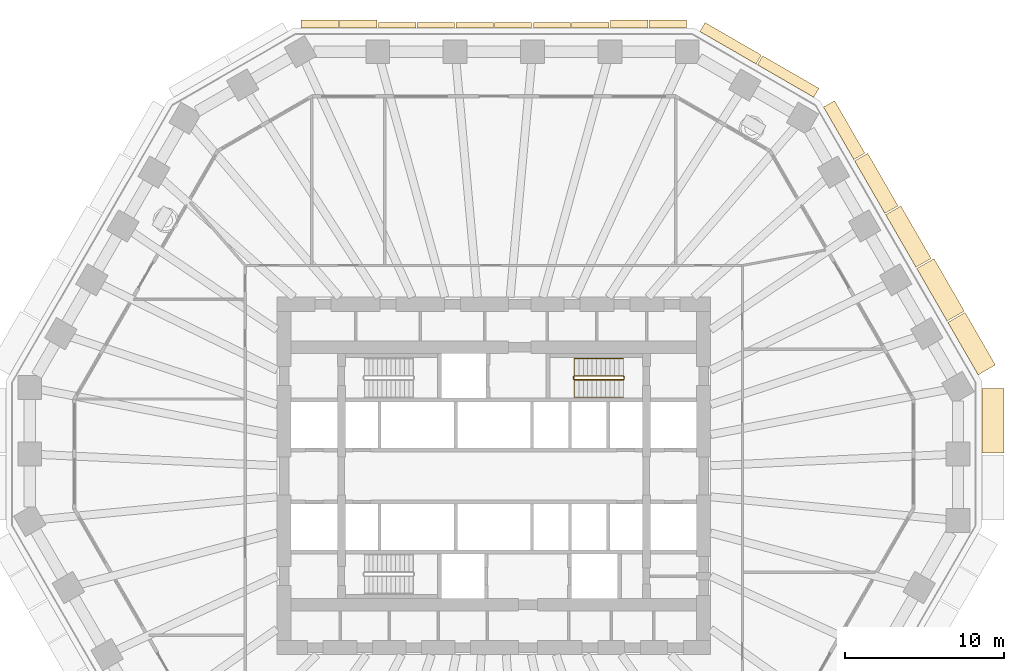
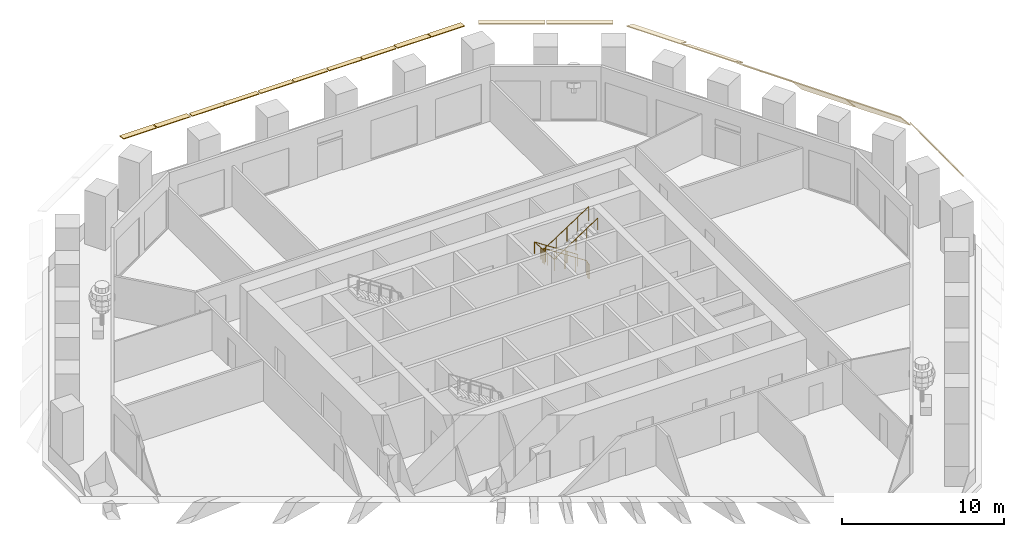
# One storey, part 10 of 12: 18 coverings, 2 railings.
"""IFC4 building model written with IfcOpenShell, lengths in metres."""

import ifcopenshell
import ifcopenshell.guid

model = None  # the IFC model being written
_history = None  # IfcOwnerHistory: only IFC2X3 demands one
_inside = {}  # id of a spatial element -> (the spatial element, [elements in it])
_under = {}  # id of a project, library or spatial element -> (it, [spatial elements below it])
_declared = {}  # id of a project -> (the project, [libraries it declares])
_typed = {}  # id of a type object -> (the type object, [elements of that type])
_made_of = {}  # id of a material, layer set ... -> (it, [elements and type objects made of it])


def new_model(schema):
    """Start an empty IFC model of exactly this schema.

    Asked for "IFC4X3", IfcOpenShell would pick the latest addendum, in which some entities
    have other attributes; the version numbers below select the first issue.
    IFC2X3 requires an IfcOwnerHistory on every rooted entity: one is made here for all.
    """
    global model, _history
    if schema == "IFC4X3":
        model = ifcopenshell.file(schema_version=(4, 3, 0, 0))
    else:
        model = ifcopenshell.file(schema=schema)
    _inside.clear()
    _under.clear()
    _declared.clear()
    _typed.clear()
    _made_of.clear()
    _history = None
    if model.schema == "IFC2X3":
        org = make("IfcOrganization", Name="unknown")
        user = make(
            "IfcPersonAndOrganization",
            ThePerson=make("IfcPerson", FamilyName="unknown"),
            TheOrganization=org,
        )
        app = make(
            "IfcApplication",
            ApplicationDeveloper=org,
            Version="unknown",
            ApplicationFullName="unknown",
            ApplicationIdentifier="unknown",
        )
        _history = make(
            "IfcOwnerHistory",
            OwningUser=user,
            OwningApplication=app,
            ChangeAction="ADDED",
            CreationDate=0,
        )
    return model


def make(cls, **values):
    """One entity of the class cls with the attributes given. An attribute that is None is left unset."""
    return model.create_entity(
        cls, **{name: value for name, value in values.items() if value is not None}
    )


def rooted(cls, **values):
    """An entity with a GlobalId (a new one), such as an element, a storey or a relation."""
    return make(cls, GlobalId=ifcopenshell.guid.new(), OwnerHistory=_history, **values)


def si_unit(unit_type, name, prefix=None):
    """IfcSIUnit, for example si_unit("LENGTHUNIT", "METRE", prefix="MILLI")."""
    return make("IfcSIUnit", UnitType=unit_type, Prefix=prefix, Name=name)


def assignment(units):
    """IfcUnitAssignment: the units of a project."""
    return None if units is None else make("IfcUnitAssignment", Units=units)


def point(xyz):
    """IfcCartesianPoint."""
    return None if xyz is None else make("IfcCartesianPoint", Coordinates=xyz)


def direction(xyz):
    """IfcDirection."""
    return None if xyz is None else make("IfcDirection", DirectionRatios=xyz)


def frame(location, z_axis=None, x_axis=None):
    """IfcAxis2Placement3D, a coordinate frame: its origin and axes. An axis left out is left unset."""
    return make(
        "IfcAxis2Placement3D",
        Location=point(location),
        Axis=direction(z_axis),
        RefDirection=direction(x_axis),
    )


def frame_2d(location, x_axis=None):
    """IfcAxis2Placement2D, a coordinate frame in the plane: its origin and x axis."""
    return make(
        "IfcAxis2Placement2D", Location=point(location), RefDirection=direction(x_axis)
    )


def origin():
    """The frame at (0, 0, 0) with its axes left unset."""
    return frame((0.0, 0.0, 0.0))


def origin_2d():
    """The frame at (0, 0) in the plane with its x axis left unset."""
    return frame_2d((0.0, 0.0))


def place(relative_to, where):
    """IfcLocalPlacement: puts the frame where relative to a parent placement (None: the world)."""
    return make(
        "IfcLocalPlacement", PlacementRelTo=relative_to, RelativePlacement=where
    )


def context(
    kind, dimensions, precision=None, world=None, true_north=None, identifier=None
):
    """IfcGeometricRepresentationContext, for example the 3D "Model" context."""
    return make(
        "IfcGeometricRepresentationContext",
        ContextIdentifier=identifier,
        ContextType=kind,
        CoordinateSpaceDimension=dimensions,
        Precision=precision,
        WorldCoordinateSystem=world,
        TrueNorth=true_north,
    )


def subcontext(parent, identifier, kind, view, scale=None):
    """IfcGeometricRepresentationSubContext, for example "Body" below "Model"."""
    return make(
        "IfcGeometricRepresentationSubContext",
        ContextIdentifier=identifier,
        ContextType=kind,
        ParentContext=parent,
        TargetScale=scale,
        TargetView=view,
    )


def project(units=None, contexts=None):
    """IfcProject with its units and contexts."""
    return rooted(
        "IfcProject",
        Name="project",
        RepresentationContexts=contexts,
        UnitsInContext=assignment(units),
    )


def spatial(cls, under=None, at=None, **own):
    """A site, building, storey or space (cls), placed at a placement, below another one or the project."""
    s = rooted(cls, ObjectPlacement=at, **own)
    if under is not None:
        _under.setdefault(under.id(), (under, []))[1].append(s)
    return s


def polyline(points):
    """IfcPolyline through the points."""
    return make("IfcPolyline", Points=[point(p) for p in points])


def profile(cls, at=None, kind="AREA", **sizes):
    """A parametric profile (cls). Its sizes go by their IFC names, for example OverallWidth=200.0."""
    return make(cls, ProfileType=kind, Position=at, **sizes)


def circle(**sizes):
    """IfcCircleProfileDef."""
    return profile("IfcCircleProfileDef", **sizes)


def outline(outer, holes=None, kind="AREA"):
    """IfcArbitraryClosedProfileDef: a profile drawn as a closed curve; with holes, ...WithVoids."""
    if holes is None:
        return make("IfcArbitraryClosedProfileDef", ProfileType=kind, OuterCurve=outer)
    return make(
        "IfcArbitraryProfileDefWithVoids",
        ProfileType=kind,
        OuterCurve=outer,
        InnerCurves=holes,
    )


def extrude(swept, where, along, depth):
    """IfcExtrudedAreaSolid: the profile swept, set in the frame where, extruded along a direction by depth."""
    return make(
        "IfcExtrudedAreaSolid",
        SweptArea=swept,
        Position=where,
        ExtrudedDirection=direction(along),
        Depth=depth,
    )


def shape(context_of_items, identifier, shape_type, items):
    """IfcShapeRepresentation: the items that make up one representation, for example the "Body"."""
    return make(
        "IfcShapeRepresentation",
        ContextOfItems=context_of_items,
        RepresentationIdentifier=identifier,
        RepresentationType=shape_type,
        Items=items,
    )


def material(Name=None, Category=None):
    """IfcMaterial."""
    return make("IfcMaterial", Name=Name, Category=Category)


def layer(
    of_material, thickness, ventilated=None, Name=None, Category=None, Priority=None
):
    """IfcMaterialLayer: one layer of a wall or slab, of a material (None: an air gap)."""
    return make(
        "IfcMaterialLayer",
        Material=of_material,
        LayerThickness=thickness,
        IsVentilated=ventilated,
        Name=Name,
        Category=Category,
        Priority=Priority,
    )


def layer_set(layers, Name=None):
    """IfcMaterialLayerSet."""
    return make("IfcMaterialLayerSet", MaterialLayers=layers, LayerSetName=Name)


def made_of(thing, what):
    """Note that an element or type object is made of a material, layer set ...; save() writes the relation."""
    if what is not None:
        _made_of.setdefault(what.id(), (what, []))[1].append(thing)
    return thing


def type_object(cls, material=None, **own):
    """A type object (cls), such as IfcWallType, which elements share."""
    return made_of(rooted(cls, **own), material)


def element(
    cls,
    number,
    at=None,
    inside=None,
    cuts=None,
    type_object=None,
    material=None,
    context=None,
    identifier="Body",
    shape_type=None,
    held_by="IfcProductDefinitionShape",
    body=None,
    shapes=None,
    **own,
):
    """One element of the class cls, such as IfcWall. Its Tag is "e" and its number.

    at: its placement. inside: the storey or other place that contains it. cuts: it is an
    opening in that element (IfcRelVoidsElement). A single representation is given by context,
    identifier, shape_type and body (its items); several are given by shapes. held_by: the class
    of the entity that holds the representations. save() writes the other relations.
    """
    e = rooted(cls, Tag="e%d" % number, ObjectPlacement=at, **own)
    if body is not None:
        shapes = [shape(context, identifier, shape_type, body)]
    if shapes is not None:
        e.Representation = make(held_by, Representations=shapes)
    if inside is not None:
        _inside.setdefault(inside.id(), (inside, []))[1].append(e)
    if cuts is not None:
        rooted(
            "IfcRelVoidsElement", RelatingBuildingElement=cuts, RelatedOpeningElement=e
        )
    if type_object is not None:
        _typed.setdefault(type_object.id(), (type_object, []))[1].append(e)
    return made_of(e, material)


def aggregate(whole, parts):
    """IfcRelAggregates: a whole, such as a stair, and the parts it consists of."""
    return rooted("IfcRelAggregates", RelatingObject=whole, RelatedObjects=parts)


def save(model, path):
    """Write the relations noted so far, then the file.

    IfcRelAggregates (storeys below a building ...), IfcRelContainedInSpatialStructure (elements
    in a storey), IfcRelDefinesByType, IfcRelAssociatesMaterial and IfcRelDeclares: one each for
    every whole, place, type object, material and project.
    """
    for whole, parts in _under.values():
        aggregate(whole, parts)
    for where, things in _inside.values():
        rooted(
            "IfcRelContainedInSpatialStructure",
            RelatedElements=things,
            RelatingStructure=where,
        )
    for kind, things in _typed.values():
        rooted("IfcRelDefinesByType", RelatedObjects=things, RelatingType=kind)
    for what, things in _made_of.values():
        rooted("IfcRelAssociatesMaterial", RelatedObjects=things, RelatingMaterial=what)
    for by, libraries in _declared.values():
        rooted("IfcRelDeclares", RelatingContext=by, RelatedDefinitions=libraries)
    model.write(path)


model = new_model("IFC4")

# Units and contexts
model_context = context("Model", 3, precision=1e-05, world=origin(), true_north=direction((0.0, 1.0)))
body_context = subcontext(model_context, "Body", "Model", "MODEL_VIEW")
ifc_project = project(units=[si_unit("LENGTHUNIT", "METRE"), si_unit("AREAUNIT", "SQUARE_METRE"), si_unit("VOLUMEUNIT", "CUBIC_METRE"), si_unit("PLANEANGLEUNIT", "RADIAN"), si_unit("MASSUNIT", "GRAM", prefix="KILO")], contexts=[model_context])

# Site, building, storey
site_placement = place(None, origin())
site = spatial("IfcSite", under=ifc_project, at=site_placement, CompositionType="ELEMENT")
building_placement = place(site_placement, origin())
building = spatial("IfcBuilding", under=site, at=building_placement, Name="Frailejon Research Tower", CompositionType="ELEMENT")
storey_placement = place(building_placement, frame((0.0, 0.0, 58.60009765625)))
storey = spatial("IfcBuildingStorey", under=building, at=storey_placement, Name="L13", CompositionType="ELEMENT", Elevation=58.60009765625)

# Coverings
ifc_material_1 = material(Name="Precast concrete C50/60", Category="concrete")
ifc_layer_1 = layer(ifc_material_1, 0.06005859375)
ifc_layer_set_1 = layer_set([ifc_layer_1], Name="Brim blade depth 1100")
covering_type_1 = type_object("IfcCoveringType", Name="Brim blade depth 1100", PredefinedType="CLADDING", material=ifc_layer_set_1)
covering_1_placement = place(storey_placement, frame((24.666259765625, 16.4423828125, 4.25), z_axis=(0.500001217064, -0.866024701111, 0.0), x_axis=(0.866024701111, 0.500001217064, 0.0)))
element("IfcCovering", 1, at=covering_1_placement, inside=storey, type_object=covering_type_1, Name="Brim blade L13", PredefinedType="CLADDING", context=body_context, shape_type="SweptSolid", body=[
    extrude(outline(polyline([(0.0, -0.078369140625), (1.10009765625, -1.001220703125), (1.10009765625, -0.923095703125), (0.0, 0.0), (0.0, -0.078369140625)])), origin(), (0.0, 0.0, 1.0), 3.8125),
])
ifc_material_2 = material(Name="Precast concrete C50/60", Category="concrete")
ifc_layer_2 = layer(ifc_material_2, 0.06005859375)
ifc_layer_set_2 = layer_set([ifc_layer_2], Name="Brim blade depth 1250")
covering_type_2 = type_object("IfcCoveringType", Name="Brim blade depth 1250", PredefinedType="CLADDING", material=ifc_layer_set_2)
covering_2_placement = place(storey_placement, frame((28.578857421875, 9.665283203125, 4.25), z_axis=(0.500001217064, -0.866024701111, 0.0), x_axis=(0.866024701111, 0.500001217064, 0.0)))
element("IfcCovering", 2, at=covering_2_placement, inside=storey, type_object=covering_type_2, Name="Brim blade L13", PredefinedType="CLADDING", context=body_context, shape_type="SweptSolid", body=[
    extrude(outline(polyline([(0.0, -0.0888671875), (1.25, -1.452880859375), (1.25, -1.364013671875), (0.0, 0.0), (0.0, -0.0888671875)])), origin(), (0.0, 0.0, 1.0), 3.8125),
])
covering_3_placement = place(storey_placement, frame((26.62255859375, 13.053955078125, 4.25), z_axis=(0.499990149831, -0.866031090707, 0.0), x_axis=(0.866031090707, 0.499990149831, 0.0)))
element("IfcCovering", 3, at=covering_3_placement, inside=storey, type_object=covering_type_2, Name="Brim blade L13", PredefinedType="CLADDING", context=body_context, shape_type="SweptSolid", body=[
    extrude(outline(polyline([(0.0, -0.0888671875), (1.25, -1.452880859375), (1.25, -1.364013671875), (0.0, 0.0), (0.0, -0.0888671875)])), origin(), (0.0, 0.0, 1.0), 3.812744140625),
])
ifc_material_3 = material(Name="Precast concrete C50/60", Category="concrete")
ifc_layer_3 = layer(ifc_material_3, 0.06005859375)
ifc_layer_set_3 = layer_set([ifc_layer_3], Name="Brim blade depth 1400")
covering_type_3 = type_object("IfcCoveringType", Name="Brim blade depth 1400", PredefinedType="CLADDING", material=ifc_layer_set_3)
covering_4_placement = place(storey_placement, frame((30.711181640625, 5.520263671875, 4.25), z_axis=(0.0, -1.0, 0.0), x_axis=(1.0, 0.0, 0.0)))
element("IfcCovering", 4, at=covering_4_placement, inside=storey, type_object=covering_type_3, Name="Brim blade L13", PredefinedType="CLADDING", context=body_context, shape_type="SweptSolid", body=[
    extrude(outline(polyline([(0.0, -0.1044921875), (1.39990234375, -2.10400390625), (1.39990234375, -1.99951171875), (0.0, 0.0), (0.0, -0.1044921875)])), origin(), (0.0, 0.0, 1.0), 4.08740234375),
])
ifc_material_4 = material(Name="Precast concrete C50/60", Category="concrete")
ifc_layer_4 = layer(ifc_material_4, 0.06005859375)
ifc_layer_set_4 = layer_set([ifc_layer_4], Name="Brim blade depth 350")
covering_type_4 = type_object("IfcCoveringType", Name="Brim blade depth 350", PredefinedType="CLADDING", material=ifc_layer_set_4)
for number, where, z_axis, x_axis, name in (
    (5, (4.900634765625, 28.199951171875, 4.25), (1.0, 0.0, 0.0), (0.0, 1.0, 0.0), "Brim blade L13"),
    (6, (2.4853515625, 28.199951171875, 4.25), (1.0, 0.0, 0.0), (0.0, 1.0, 0.0), "Brim blade L13"),
    (7, (0.030029296875, 28.199951171875, 4.25), (1.0, 0.0, 0.0), (0.0, 1.0, 0.0), "Brim blade L13"),
    (8, (-2.38525390625, 28.199951171875, 4.25), (1.0, 0.0, 0.0), (0.0, 1.0, 0.0), "Brim blade L13"),
    (9, (-4.840576171875, 28.199951171875, 4.25), (1.0, 0.0, 0.0), (0.0, 1.0, 0.0), "Brim blade L13"),
    (10, (-7.255859375, 28.199951171875, 4.25), (1.0, 0.0, 0.0), (0.0, 1.0, 0.0), "Brim blade L13"),
):
    element("IfcCovering", number, at=place(storey_placement, frame(where, z_axis=z_axis, x_axis=x_axis)), inside=storey, type_object=covering_type_4, Name=name, PredefinedType="CLADDING", context=body_context, shape_type="SweptSolid", body=[
        extrude(outline(polyline([(0.0, -0.06005859375), (0.35009765625, -0.06005859375), (0.35009765625, 0.0), (0.0, 0.0), (0.0, -0.06005859375)])), origin(), (0.0, 0.0, 1.0), 2.355224609375),
    ])
ifc_material_5 = material(Name="Precast concrete C50/60", Category="concrete")
ifc_layer_5 = layer(ifc_material_5, 0.06005859375)
ifc_layer_set_5 = layer_set([ifc_layer_5], Name="Brim blade depth 500")
covering_type_5 = type_object("IfcCoveringType", Name="Brim blade depth 500", PredefinedType="CLADDING", material=ifc_layer_set_5)
for number, where, z_axis, x_axis, name in (
    (11, (9.771240234375, 28.199951171875, 4.25), (1.0, 0.0, 0.0), (0.0, 1.0, 0.0), "Brim blade L13"),
    (12, (7.35595703125, 28.199951171875, 4.25), (1.0, 0.0, 0.0), (0.0, 1.0, 0.0), "Brim blade L13"),
    (13, (-9.711181640625, 28.199951171875, 4.25), (1.0, 0.0, 0.0), (0.0, 1.0, 0.0), "Brim blade L13"),
    (14, (-12.12646484375, 28.199951171875, 4.25), (1.0, 0.0, 0.0), (0.0, 1.0, 0.0), "Brim blade L13"),
):
    element("IfcCovering", number, at=place(storey_placement, frame(where, z_axis=z_axis, x_axis=x_axis)), inside=storey, type_object=covering_type_5, Name=name, PredefinedType="CLADDING", context=body_context, shape_type="SweptSolid", body=[
        extrude(outline(polyline([(0.0, -0.060546875), (0.5, -0.130859375), (0.5, -0.0703125), (0.0, 0.0), (0.0, -0.060546875)])), origin(), (0.0, 0.0, 1.0), 2.355224609375),
    ])
ifc_material_6 = material(Name="Precast concrete C50/60", Category="concrete")
ifc_layer_6 = layer(ifc_material_6, 0.06005859375)
ifc_layer_set_6 = layer_set([ifc_layer_6], Name="Brim blade depth 650")
covering_type_6 = type_object("IfcCoveringType", Name="Brim blade depth 650", PredefinedType="CLADDING", material=ifc_layer_set_6)
covering_5_placement = place(storey_placement, frame((16.596435546875, 25.880126953125, 4.25), z_axis=(0.866021344981, -0.500007029989, 0.0), x_axis=(0.500007029989, 0.866021344981, 0.0)))
element("IfcCovering", 15, at=covering_5_placement, inside=storey, type_object=covering_type_6, Name="Brim blade L13", PredefinedType="CLADDING", context=body_context, shape_type="SweptSolid", body=[
    extrude(outline(polyline([(0.0, -0.0625), (0.64990234375, -0.248779296875), (0.64990234375, -0.186279296875), (0.0, 0.0), (0.0, -0.0625)])), origin(), (0.0, 0.0, 1.0), 4.08740234375),
])
covering_6_placement = place(storey_placement, frame((12.9697265625, 27.97412109375, 4.25), z_axis=(0.866027315287, -0.499996689166, 0.0), x_axis=(0.499996689166, 0.866027315287, 0.0)))
element("IfcCovering", 16, at=covering_6_placement, inside=storey, type_object=covering_type_6, Name="Brim blade L13", PredefinedType="CLADDING", context=body_context, shape_type="SweptSolid", body=[
    extrude(outline(polyline([(0.0, -0.0625), (0.64990234375, -0.248779296875), (0.64990234375, -0.186279296875), (0.0, 0.0), (0.0, -0.0625)])), origin(), (0.0, 0.0, 1.0), 4.087646484375),
])
ifc_material_7 = material(Name="Precast concrete C50/60", Category="concrete")
ifc_layer_7 = layer(ifc_material_7, 0.06005859375)
ifc_layer_set_7 = layer_set([ifc_layer_7], Name="Brim blade depth 800")
covering_type_7 = type_object("IfcCoveringType", Name="Brim blade depth 800", PredefinedType="CLADDING", material=ifc_layer_set_7)
covering_7_placement = place(storey_placement, frame((20.753662109375, 23.218994140625, 4.25), z_axis=(0.500001217064, -0.866024701111, 0.0), x_axis=(0.866024701111, 0.500001217064, 0.0)))
element("IfcCovering", 17, at=covering_7_placement, inside=storey, type_object=covering_type_7, Name="Brim blade L13", PredefinedType="CLADDING", context=body_context, shape_type="SweptSolid", body=[
    extrude(outline(polyline([(0.0, -0.065673828125), (0.800048828125, -0.421875), (0.800048828125, -0.356201171875), (0.0, 0.0), (0.0, -0.065673828125)])), origin(), (0.0, 0.0, 1.0), 3.8125),
])
ifc_material_8 = material(Name="Precast concrete C50/60", Category="concrete")
ifc_layer_8 = layer(ifc_material_8, 0.06005859375)
ifc_layer_set_8 = layer_set([ifc_layer_8], Name="Brim blade depth 950")
covering_type_8 = type_object("IfcCoveringType", Name="Brim blade depth 950", PredefinedType="CLADDING", material=ifc_layer_set_8)
covering_8_placement = place(storey_placement, frame((22.7099609375, 19.830810546875, 4.25), z_axis=(0.500001217064, -0.866024701111, 0.0), x_axis=(0.866024701111, 0.500001217064, 0.0)))
element("IfcCovering", 18, at=covering_8_placement, inside=storey, type_object=covering_type_8, Name="Brim blade L13", PredefinedType="CLADDING", context=body_context, shape_type="SweptSolid", body=[
    extrude(outline(polyline([(0.0, -0.07080078125), (0.949951171875, -0.664306640625), (0.949951171875, -0.593505859375), (0.0, 0.0), (0.0, -0.07080078125)])), origin(), (0.0, 0.0, 1.0), 3.8125),
])

# Railings
ifc_material_9 = material(Name="Stainless steel", Category="steel")
railing_type_1 = type_object("IfcRailingType", Name="Stair guard 1100", PredefinedType="GUARDRAIL", material=ifc_material_9)
railing_1_placement = place(storey_placement, frame((8.199951171875, 6.10009765625, 0.0)))
element("IfcRailing", 19, at=railing_1_placement, inside=storey, type_object=railing_type_1, Name="L13 ST3 stair guard 1", PredefinedType="GUARDRAIL", context=body_context, shape_type="SweptSolid", body=[
    extrude(circle(Radius=0.02392578125, at=origin_2d()), frame((0.0, 0.0, 1.076171875), z_axis=(0.0, 1.0, 0.0), x_axis=(-1.0, 0.0, 0.0)), (0.0, 0.0, 1.0), 0.14990234375),
    extrude(circle(Radius=0.02392578125, at=origin_2d()), frame((0.0, 0.14990234375, 1.076171875), z_axis=(-0.254653276557, 0.254653276557, 0.932900539971), x_axis=(-0.707106781187, -0.707106781187, 0.0)), (0.0, 0.0, 1.0), 0.196533203125),
    extrude(circle(Radius=0.02392578125, at=origin_2d()), frame((-0.050048828125, 0.199951171875, 1.25927734375), z_axis=(-0.836613101238, 0.0, 0.547794230379), x_axis=(0.0, -1.0, 0.0)), (0.0, 0.0, 1.0), 3.681396484375),
    extrude(circle(Radius=0.02392578125, at=origin_2d()), frame((-3.1298828125, 0.199951171875, 3.27587890625), z_axis=(-0.707106781187, -0.707106781187, 0.0), x_axis=(0.707106781187, -0.707106781187, 0.0)), (0.0, 0.0, 1.0), 0.07080078125),
    extrude(circle(Radius=0.02392578125, at=origin_2d()), frame((-3.179931640625, 0.14990234375, 3.27587890625), z_axis=(0.0, -1.0, 0.0), x_axis=(1.0, 0.0, 0.0)), (0.0, 0.0, 1.0), 0.14990234375),
    extrude(circle(Radius=0.02392578125, at=origin_2d()), frame((-3.179931640625, 0.0, 3.27587890625), z_axis=(0.254653276557, -0.254653276557, 0.932900539971), x_axis=(0.707106781187, 0.707106781187, 0.0)), (0.0, 0.0, 1.0), 0.196533203125),
    extrude(circle(Radius=0.02392578125, at=origin_2d()), frame((-3.1298828125, -0.050048828125, 3.45947265625), z_axis=(0.836613101238, 0.0, 0.547794230379), x_axis=(0.0, 1.0, 0.0)), (0.0, 0.0, 1.0), 3.681396484375),
    extrude(circle(Radius=0.02099609375, at=origin_2d()), origin(), (0.0, 0.0, 1.0), 1.052001953125),
    extrude(circle(Radius=0.02099609375, at=origin_2d()), frame((0.0, 0.14990234375, 0.0)), (0.0, 0.0, 1.0), 1.052001953125),
    extrude(circle(Radius=0.02099609375, at=origin_2d()), frame((-0.050048828125, 0.199951171875, 0.183349609375)), (0.0, 0.0, 1.0), 1.052001953125),
    extrude(circle(Radius=0.02099609375, at=origin_2d()), frame((-0.820068359375, 0.199951171875, 0.6875)), (0.0, 0.0, 1.0), 1.052001953125),
    extrude(circle(Radius=0.02099609375, at=origin_2d()), frame((-1.58984375, 0.199951171875, 1.191650390625)), (0.0, 0.0, 1.0), 1.052001953125),
    extrude(circle(Radius=0.02099609375, at=origin_2d()), frame((-2.35986328125, 0.199951171875, 1.69580078125)), (0.0, 0.0, 1.0), 1.052001953125),
    extrude(circle(Radius=0.02099609375, at=origin_2d()), frame((-3.1298828125, 0.199951171875, 2.199951171875)), (0.0, 0.0, 1.0), 1.052001953125),
    extrude(circle(Radius=0.02099609375, at=origin_2d()), frame((-3.179931640625, 0.14990234375, 2.199951171875)), (0.0, 0.0, 1.0), 1.052001953125),
    extrude(circle(Radius=0.02099609375, at=origin_2d()), frame((-3.179931640625, 0.0, 2.199951171875)), (0.0, 0.0, 1.0), 1.052001953125),
    extrude(circle(Radius=0.02099609375, at=origin_2d()), frame((-3.1298828125, -0.050048828125, 2.38330078125)), (0.0, 0.0, 1.0), 1.052001953125),
    extrude(circle(Radius=0.02099609375, at=origin_2d()), frame((-2.35986328125, -0.050048828125, 2.887451171875)), (0.0, 0.0, 1.0), 1.052001953125),
    extrude(circle(Radius=0.02099609375, at=origin_2d()), frame((-1.58984375, -0.050048828125, 3.3916015625)), (0.0, 0.0, 1.0), 1.052001953125),
    extrude(circle(Radius=0.02099609375, at=origin_2d()), frame((-0.820068359375, -0.050048828125, 3.895751953125)), (0.0, 0.0, 1.0), 1.052001953125),
    extrude(circle(Radius=0.02099609375, at=origin_2d()), frame((-0.050048828125, -0.050048828125, 4.39990234375)), (0.0, 0.0, 1.0), 1.052001953125),
])
ifc_material_10 = material(Name="Stainless steel", Category="steel")
railing_type_2 = type_object("IfcRailingType", Name="Stair handrail 900", PredefinedType="HANDRAIL", material=ifc_material_10)
railing_2_placement = place(storey_placement, frame((8.14990234375, 7.39990234375, 0.183349609375)))
element("IfcRailing", 20, at=railing_2_placement, inside=storey, type_object=railing_type_2, Name="L13 ST3 stair handrail 1", PredefinedType="HANDRAIL", context=body_context, shape_type="SweptSolid", body=[
    extrude(circle(Radius=0.02392578125, at=origin_2d()), frame((0.0, 0.0, 0.8759765625), z_axis=(-0.836613101238, 0.0, 0.547794230379), x_axis=(0.0, -1.0, 0.0)), (0.0, 0.0, 1.0), 3.681396484375),
    extrude(circle(Radius=0.02392578125, at=origin_2d()), frame((-3.079833984375, 0.0, 2.892578125), z_axis=(0.0, -0.99721134034, 0.074629368868), x_axis=(1.0, 0.0, 0.0)), (0.0, 0.0, 1.0), 2.456787109375),
    extrude(circle(Radius=0.02392578125, at=origin_2d()), frame((-3.079833984375, -2.449951171875, 3.07568359375), z_axis=(0.836613101238, 0.0, 0.547794230379), x_axis=(0.0, 1.0, 0.0)), (0.0, 0.0, 1.0), 3.681396484375),
    extrude(circle(Radius=0.02099609375, at=origin_2d()), origin(), (0.0, 0.0, 1.0), 0.851806640625),
    extrude(circle(Radius=0.02099609375, at=origin_2d()), frame((-0.77001953125, 0.0, 0.504150390625)), (0.0, 0.0, 1.0), 0.851806640625),
    extrude(circle(Radius=0.02099609375, at=origin_2d()), frame((-1.5400390625, 0.0, 1.00830078125)), (0.0, 0.0, 1.0), 0.851806640625),
    extrude(circle(Radius=0.02099609375, at=origin_2d()), frame((-2.309814453125, 0.0, 1.512451171875)), (0.0, 0.0, 1.0), 0.851806640625),
    extrude(circle(Radius=0.02099609375, at=origin_2d()), frame((-3.079833984375, 0.0, 2.0166015625)), (0.0, 0.0, 1.0), 0.851806640625),
    extrude(circle(Radius=0.02099609375, at=origin_2d()), frame((-3.079833984375, -0.816650390625, 2.07763671875)), (0.0, 0.0, 1.0), 0.851806640625),
    extrude(circle(Radius=0.02099609375, at=origin_2d()), frame((-3.079833984375, -1.63330078125, 2.138916015625)), (0.0, 0.0, 1.0), 0.851806640625),
    extrude(circle(Radius=0.02099609375, at=origin_2d()), frame((-3.079833984375, -2.449951171875, 2.199951171875)), (0.0, 0.0, 1.0), 0.851806640625),
    extrude(circle(Radius=0.02099609375, at=origin_2d()), frame((-2.309814453125, -2.449951171875, 2.7041015625)), (0.0, 0.0, 1.0), 0.851806640625),
    extrude(circle(Radius=0.02099609375, at=origin_2d()), frame((-1.5400390625, -2.449951171875, 3.208251953125)), (0.0, 0.0, 1.0), 0.851806640625),
    extrude(circle(Radius=0.02099609375, at=origin_2d()), frame((-0.77001953125, -2.449951171875, 3.71240234375)), (0.0, 0.0, 1.0), 0.851806640625),
    extrude(circle(Radius=0.02099609375, at=origin_2d()), frame((0.0, -2.449951171875, 4.216552734375)), (0.0, 0.0, 1.0), 0.851806640625),
])

save(model, "model.ifc")
